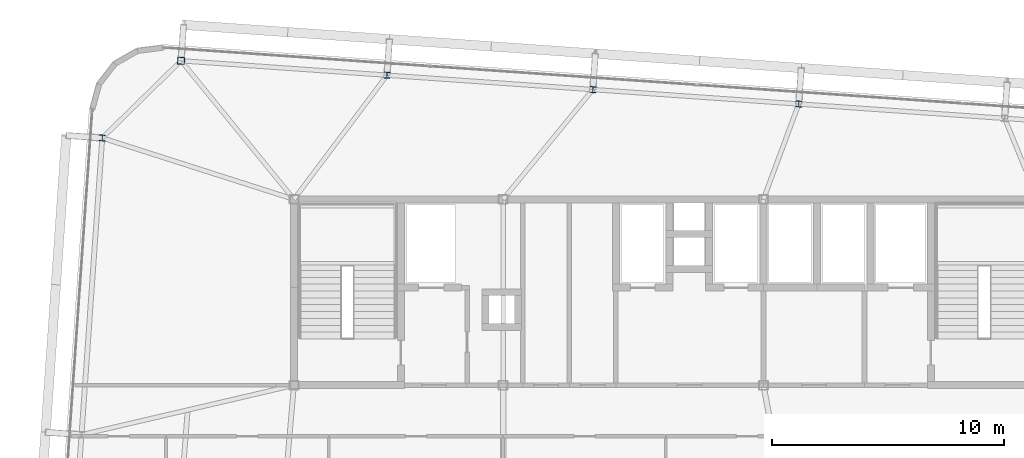
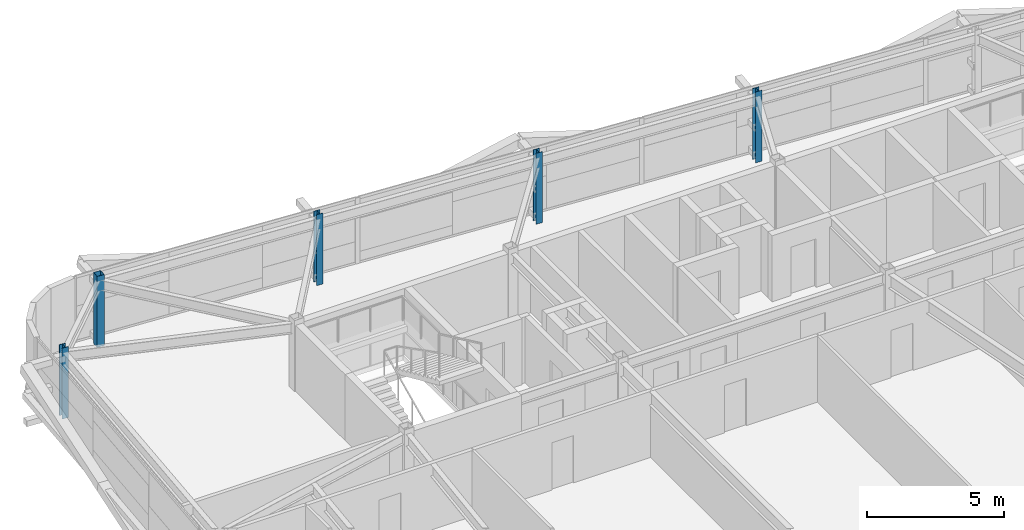
# One storey, part 4 of 39: 5 columns.
"""IFC4 building model written with IfcOpenShell, lengths in metres."""

from ifc_helpers import new_model, si_unit, direction, frame, origin, origin_2d, place, context, subcontext, project, spatial, hollow_rectangle, i_section, extrude, source, transform, mapped, material, material_profile, profile_set, type_object, element, save


model = new_model("IFC4")

# Units and contexts
model_context = context("Model", 3, precision=1e-05, world=origin(), true_north=direction((0.0, 1.0)))
body_context = subcontext(model_context, "Body", "Model", "MODEL_VIEW")
ifc_project = project(units=[si_unit("LENGTHUNIT", "METRE"), si_unit("AREAUNIT", "SQUARE_METRE"), si_unit("VOLUMEUNIT", "CUBIC_METRE"), si_unit("PLANEANGLEUNIT", "RADIAN"), si_unit("MASSUNIT", "GRAM", prefix="KILO")], contexts=[model_context])

# Site, building, storey
site_placement = place(None, origin())
site = spatial("IfcSite", under=ifc_project, at=site_placement, CompositionType="ELEMENT")
building_placement = place(site_placement, origin())
building = spatial("IfcBuilding", under=site, at=building_placement, Name="Taldren Reach Tower", CompositionType="ELEMENT")
storey_placement = place(building_placement, frame((0.0, 0.0, 155.050048828125)))
storey = spatial("IfcBuildingStorey", under=building, at=storey_placement, Name="L47", CompositionType="ELEMENT", Elevation=155.050048828125)

# Columns
ifc_material_1 = material(Name="Steel Gr 450 (C450L0)", Category="steel")
ifc_material_profile_1 = material_profile(ifc_material_1, hollow_rectangle(XDim=0.300048828125, YDim=0.300048828125, WallThickness=0.012451171875, at=origin_2d()), Name="300x300x12.5SHS")
ifc_profile_set_1 = profile_set([ifc_material_profile_1], Name="Steel Gr 450 (C450L0)")
column_type_1 = type_object("IfcColumnType", Name="COL-SHS300", PredefinedType="COLUMN", material=ifc_profile_set_1)
shared_shape_1 = source(origin(), body_context, "Body", "SweptSolid", [
    extrude(hollow_rectangle(XDim=0.300048828125, YDim=0.300048828125, WallThickness=0.012451171875, at=origin_2d()), origin(), (0.0, 0.0, 1.0), 3.14990234375),
])
column_placement = place(storey_placement, frame((14.14453125, 37.958740234375, 0.0), z_axis=(0.0, 0.0, 1.0), x_axis=(0.99756405026, -0.069756473744, 0.0)))
element("IfcColumn", 1, at=column_placement, inside=storey, type_object=column_type_1, Name="Block B3 perimeter column N1 L47", PredefinedType="COLUMN", context=body_context, shape_type="MappedRepresentation", body=[
    mapped(shared_shape_1, transform((0.0, 0.0, 0.0), scale=1.0)),
])
ifc_material_2 = material(Name="Steel Gr 350 (350PLUS)", Category="steel")
ifc_material_profile_2 = material_profile(ifc_material_2, i_section(OverallWidth=0.256103515625, OverallDepth=0.260009765625, WebThickness=0.010498046875, FlangeThickness=0.017333984375, at=origin_2d()), Name="250UC89.5")
ifc_profile_set_2 = profile_set([ifc_material_profile_2], Name="Steel Gr 350 (350PLUS)")
column_type_2 = type_object("IfcColumnType", Name="COL-UC250", PredefinedType="COLUMN", material=ifc_profile_set_2)
shared_shape_2 = source(origin(), body_context, "Body", "SweptSolid", [
    extrude(i_section(OverallWidth=0.256103515625, OverallDepth=0.260009765625, WebThickness=0.010498046875, FlangeThickness=0.017333984375, at=origin_2d()), origin(), (0.0, 0.0, 1.0), 3.14990234375),
])
for number, where, z_axis, x_axis, name in (
    (2, (23.0029296875, 37.33935546875, 0.0), (0.0, 0.0, 1.0), (0.99756405026, -0.069756473744, 0.0), "Block B3 perimeter column N2 L47"),
    (3, (31.861328125, 36.719970703125, 0.0), (0.0, 0.0, 1.0), (0.99756405026, -0.069756473744, 0.0), "Block B3 perimeter column N3 L47"),
    (4, (40.7197265625, 36.100341796875, 0.0), (0.0, 0.0, 1.0), (0.99756405026, -0.069756473744, 0.0), "Block B3 perimeter column N4 L47"),
    (5, (10.754638671875, 34.63720703125, 0.0), (0.0, 0.0, 1.0), (0.99756405026, -0.069756473744, 0.0), "Block B3 perimeter column W3 L47"),
):
    element("IfcColumn", number, at=place(storey_placement, frame(where, z_axis=z_axis, x_axis=x_axis)), inside=storey, type_object=column_type_2, Name=name, PredefinedType="COLUMN", context=body_context, shape_type="MappedRepresentation", body=[
        mapped(shared_shape_2, transform((0.0, 0.0, 0.0), scale=1.0)),
    ])

save(model, "model.ifc")
